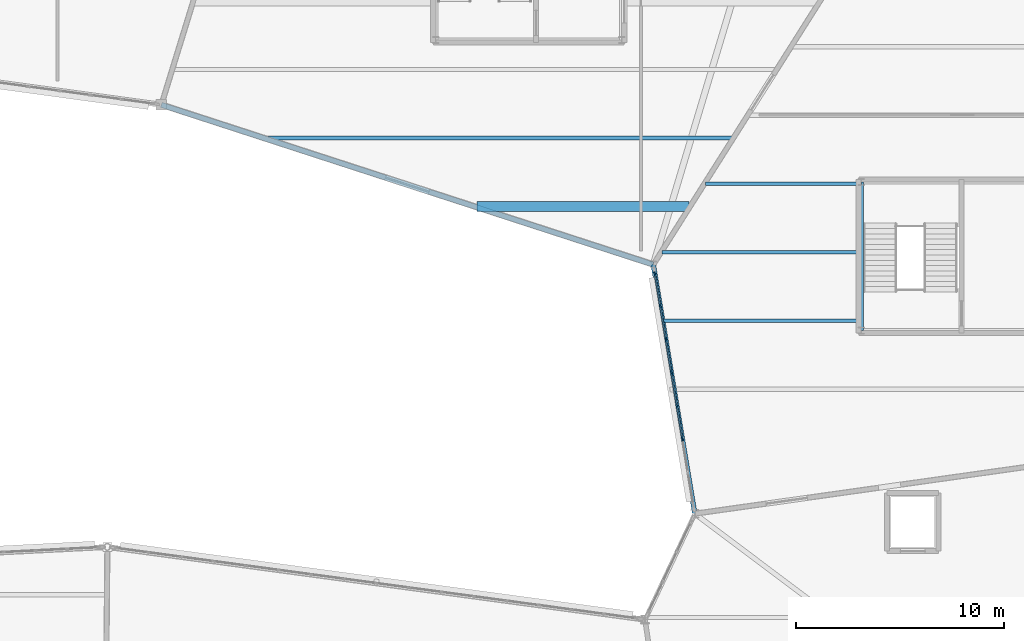
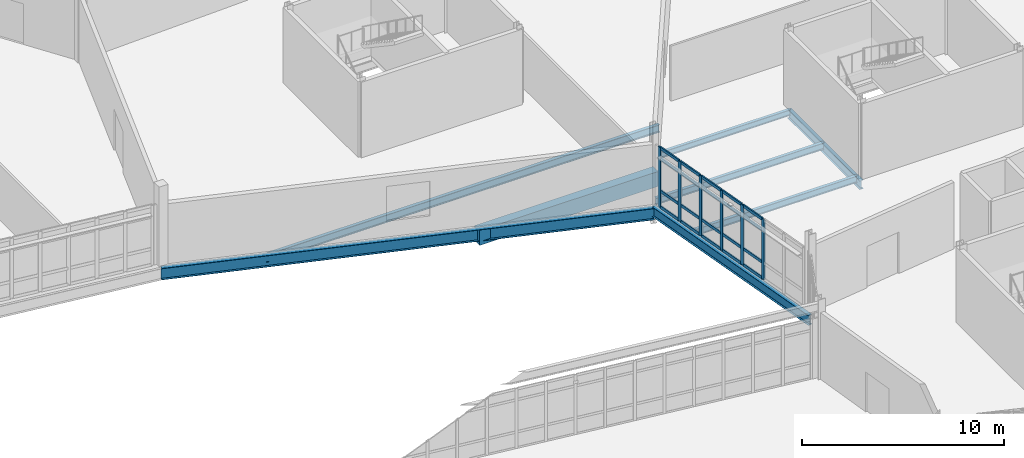
# One storey, part 36 of 134: 26 members, 8 beams, 1 element without a shape of its own.
"""IFC4 building model written with IfcOpenShell, lengths in metres."""

from ifc_helpers import new_model, si_unit, direction, frame, origin, origin_2d, place, context, subcontext, project, spatial, rectangle, i_section, extrude, material, material_profile, profile_set, type_object, element, aggregate, save


model = new_model("IFC4")

# Units and contexts
model_context = context("Model", 3, precision=1e-05, world=origin(), true_north=direction((0.0, 1.0)))
body_context = subcontext(model_context, "Body", "Model", "MODEL_VIEW")
ifc_project = project(units=[si_unit("LENGTHUNIT", "METRE"), si_unit("AREAUNIT", "SQUARE_METRE"), si_unit("VOLUMEUNIT", "CUBIC_METRE"), si_unit("PLANEANGLEUNIT", "RADIAN"), si_unit("MASSUNIT", "GRAM", prefix="KILO")], contexts=[model_context])

# Site, building, storey
site_placement = place(None, origin())
site = spatial("IfcSite", under=ifc_project, at=site_placement, CompositionType="ELEMENT")
building_placement = place(site_placement, origin())
building = spatial("IfcBuilding", under=site, at=building_placement, Name="Tameran Prism Museum", CompositionType="ELEMENT")
storey_placement = place(building_placement, frame((0.0, 0.0, 5.39990234375)))
storey = spatial("IfcBuildingStorey", under=building, at=storey_placement, Name="L01", CompositionType="ELEMENT", Elevation=5.39990234375)

# Beams
ifc_material_1 = material(Name="Steel Grade 300PLUS (300 MPa)", Category="steel")
ifc_material_profile_1 = material_profile(ifc_material_1, i_section(OverallWidth=0.172119140625, OverallDepth=0.35888671875, WebThickness=0.008056640625, FlangeThickness=0.012939453125, FilletRadius=0.011474609375, at=origin_2d()))
ifc_profile_set_1 = profile_set([ifc_material_profile_1])
beam_type_1 = type_object("IfcBeamType", Name="BM-J360A", PredefinedType="JOIST", material=ifc_profile_set_1)
beam_1_placement = place(storey_placement, frame((52.513916015625, 60.5, -0.37939453125), z_axis=(1.0, 0.0, 0.0), x_axis=(0.0, 1.0, 0.0)))
element("IfcBeam", 1, at=beam_1_placement, inside=storey, type_object=beam_type_1, Name="Floor Beam BM-0556", PredefinedType="JOIST", context=body_context, shape_type="SweptSolid", body=[
    extrude(i_section(OverallWidth=0.172119140625, OverallDepth=0.35888671875, WebThickness=0.008056640625, FlangeThickness=0.012939453125, FilletRadius=0.011474609375, at=origin_2d()), origin(), (0.0, 0.0, 1.0), 7.506103515625),
])
ifc_material_2 = material(Name="Steel Grade 300PLUS (300 MPa)", Category="steel")
ifc_material_profile_2 = material_profile(ifc_material_2, i_section(OverallWidth=0.177978515625, OverallDepth=0.403076171875, WebThickness=0.007568359375, FlangeThickness=0.010986328125, FilletRadius=0.011474609375, at=origin_2d()))
ifc_profile_set_2 = profile_set([ifc_material_profile_2])
beam_type_2 = type_object("IfcBeamType", Name="BM-J410B", PredefinedType="JOIST", material=ifc_profile_set_2)
beam_2_placement = place(storey_placement, frame((50.490966796875, 53.89990234375, -0.4013671875), z_axis=(1.0, 0.0, 0.0), x_axis=(0.0, 1.0, 0.0)))
element("IfcBeam", 2, at=beam_2_placement, inside=storey, type_object=beam_type_2, Name="Floor Beam BM-0552", PredefinedType="JOIST", context=body_context, shape_type="SweptSolid", body=[
    extrude(i_section(OverallWidth=0.177978515625, OverallDepth=0.403076171875, WebThickness=0.007568359375, FlangeThickness=0.010986328125, FilletRadius=0.011474609375, at=origin_2d()), origin(), (0.0, 0.0, 1.0), 9.529052734375),
])
beam_3_placement = place(storey_placement, frame((50.427001953125, 57.199951171875, -0.4013671875), z_axis=(1.0, 0.0, 0.0), x_axis=(0.0, 1.0, 0.0)))
element("IfcBeam", 3, at=beam_3_placement, inside=storey, type_object=beam_type_2, Name="Floor Beam BM-0554", PredefinedType="JOIST", context=body_context, shape_type="SweptSolid", body=[
    extrude(i_section(OverallWidth=0.177978515625, OverallDepth=0.403076171875, WebThickness=0.007568359375, FlangeThickness=0.010986328125, FilletRadius=0.011474609375, at=origin_2d()), origin(), (0.0, 0.0, 1.0), 9.593017578125),
])
ifc_material_3 = material(Name="Steel Grade 300PLUS (300 MPa)", Category="steel")
ifc_material_profile_3 = material_profile(ifc_material_3, i_section(OverallWidth=0.19091796875, OverallDepth=0.4599609375, WebThickness=0.010009765625, FlangeThickness=0.01611328125, FilletRadius=0.011474609375, at=origin_2d()))
ifc_profile_set_3 = profile_set([ifc_material_profile_3])
beam_type_3 = type_object("IfcBeamType", Name="BM-J460A", PredefinedType="JOIST", material=ifc_profile_set_3)
beam_4_placement = place(storey_placement, frame((31.35400390625, 62.699951171875, -0.489990234375), z_axis=(1.0, 0.0, 0.0), x_axis=(0.0, 1.0, 0.0)))
element("IfcBeam", 4, at=beam_4_placement, inside=storey, type_object=beam_type_3, Name="Floor Beam BM-0614", PredefinedType="JOIST", context=body_context, shape_type="SweptSolid", body=[
    extrude(i_section(OverallWidth=0.19091796875, OverallDepth=0.4599609375, WebThickness=0.010009765625, FlangeThickness=0.01611328125, FilletRadius=0.011474609375, at=origin_2d()), origin(), (0.0, 0.0, 1.0), 22.45703125),
])
ifc_material_4 = material(Name="Concrete N40 (40 MPa)", Category="concrete")
ifc_material_profile_4 = material_profile(ifc_material_4, rectangle(XDim=0.5, YDim=0.89990234375, at=origin_2d()))
ifc_profile_set_4 = profile_set([ifc_material_profile_4])
beam_type_4 = type_object("IfcBeamType", Name="BM-RC900", PredefinedType="BEAM", material=ifc_profile_set_4)
beam_5_placement = place(storey_placement, frame((41.510986328125, 59.39990234375, -0.7099609375), z_axis=(1.0, 0.0, 0.0), x_axis=(0.0, 1.0, 0.0)))
element("IfcBeam", 5, at=beam_5_placement, inside=storey, type_object=beam_type_4, Name="Floor Beam BM-0613", PredefinedType="BEAM", context=body_context, shape_type="SweptSolid", body=[
    extrude(rectangle(XDim=0.5, YDim=0.89990234375, at=origin_2d()), origin(), (0.0, 0.0, 1.0), 10.213134765625),
])
ifc_material_5 = material(Name="Steel Grade 300PLUS (300 MPa)", Category="steel")
ifc_material_profile_5 = material_profile(ifc_material_5, i_section(OverallWidth=0.208984375, OverallDepth=0.528076171875, WebThickness=0.009521484375, FlangeThickness=0.01318359375, FilletRadius=0.013916015625, at=origin_2d()))
ifc_profile_set_5 = profile_set([ifc_material_profile_5])
beam_type_5 = type_object("IfcBeamType", Name="BM-SP530B", PredefinedType="SPANDREL", material=ifc_profile_set_5)
beam_6_placement = place(storey_placement, frame((60.02001953125, 60.580078125, -0.50390625), z_axis=(0.0, -1.0, 0.0), x_axis=(1.0, 0.0, 0.0)))
element("IfcBeam", 6, at=beam_6_placement, inside=storey, type_object=beam_type_5, Name="Core Ring Beam CTB-0457", PredefinedType="SPANDREL", context=body_context, shape_type="SweptSolid", body=[
    extrude(i_section(OverallWidth=0.208984375, OverallDepth=0.528076171875, WebThickness=0.009521484375, FlangeThickness=0.01318359375, FilletRadius=0.013916015625, at=origin_2d()), origin(), (0.0, 0.0, 1.0), 7.16015625),
])
ifc_material_6 = material(Name="Steel Grade 300PLUS (300 MPa)", Category="steel")
ifc_material_profile_6 = material_profile(ifc_material_6, i_section(OverallWidth=0.22802734375, OverallDepth=0.60205078125, WebThickness=0.010498046875, FlangeThickness=0.014892578125, FilletRadius=0.013916015625, at=origin_2d()))
ifc_profile_set_6 = profile_set([ifc_material_profile_6])
beam_type_6 = type_object("IfcBeamType", Name="BM-SP610", PredefinedType="SPANDREL", material=ifc_profile_set_6)
beam_7_placement = place(storey_placement, frame((50.0, 56.60009765625, -0.5009765625), z_axis=(0.164398987305, -0.986393923832, 0.0), x_axis=(0.986393923832, 0.164398987305, 0.0)))
element("IfcBeam", 7, at=beam_7_placement, inside=storey, type_object=beam_type_6, Name="Perimeter Spandrel SP-0356", PredefinedType="SPANDREL", context=body_context, shape_type="SweptSolid", body=[
    extrude(i_section(OverallWidth=0.22802734375, OverallDepth=0.60205078125, WebThickness=0.010498046875, FlangeThickness=0.014892578125, FilletRadius=0.013916015625, at=origin_2d()), origin(), (0.0, 0.0, 1.0), 12.16552734375),
])
ifc_material_7 = material(Name="Steel Grade 350 (350 MPa)", Category="steel")
ifc_material_profile_7 = material_profile(ifc_material_7, i_section(OverallWidth=0.25, OverallDepth=0.699951171875, WebThickness=0.010009765625, FlangeThickness=0.02001953125, at=origin_2d()))
ifc_profile_set_7 = profile_set([ifc_material_profile_7])
beam_type_7 = type_object("IfcBeamType", Name="BM-SP700", PredefinedType="SPANDREL", material=ifc_profile_set_7)
beam_8_placement = place(storey_placement, frame((26.300048828125, 64.300048828125, -0.60986328125), z_axis=(0.951063943279, -0.308994135535, 0.0), x_axis=(0.308994135535, 0.951063943279, 0.0)))
element("IfcBeam", 8, at=beam_8_placement, inside=storey, type_object=beam_type_7, Name="Perimeter Spandrel SP-0413", PredefinedType="SPANDREL", context=body_context, shape_type="SweptSolid", body=[
    extrude(i_section(OverallWidth=0.25, OverallDepth=0.699951171875, WebThickness=0.010009765625, FlangeThickness=0.02001953125, at=origin_2d()), origin(), (0.0, 0.0, 1.0), 24.91943359375),
])

# Curtain wall, members
ifc_material_8 = material(Name="Anodised Aluminium 6063-T6 and Cyclone Solar Glass", Category="aluminium")
curtain_wall_type = type_object("IfcCurtainWallType", Name="CW-FAC-1135x362", PredefinedType="USERDEFINED", material=ifc_material_8)
curtain_wall_placement = place(storey_placement, origin())
curtain_wall = element("IfcCurtainWall", 9, at=curtain_wall_placement, inside=storey, type_object=curtain_wall_type, Name="Unitised Curtain Wall CW-069", ObjectType="UNITISED CURTAIN WALL", PredefinedType="USERDEFINED")
ifc_material_9 = material(Name="Anodised Aluminium Alloy 6063-T6", Category="aluminium")
ifc_material_profile_8 = material_profile(ifc_material_9, rectangle(XDim=0.074951171875, YDim=0.199951171875, at=origin_2d()))
ifc_profile_set_8 = profile_set([ifc_material_profile_8])
member_type_1 = type_object("IfcMemberType", Name="CW-MUL-C", PredefinedType="MULLION", material=ifc_profile_set_8)
member_1_placement = place(storey_placement, frame((51.3994140625, 48.20166015625, 0.0), z_axis=(0.0, 0.0, 1.0), x_axis=(-0.986412973539, -0.164284648199, 0.0)))
member_1 = element("IfcMember", 10, at=member_1_placement, type_object=member_type_1, Name="CW-069 mullion 3", PredefinedType="MULLION", context=body_context, shape_type="SweptSolid", body=[
    extrude(rectangle(XDim=0.074951171875, YDim=0.199951171875, at=origin_2d()), origin(), (0.0, 0.0, 1.0), 3.6201171875),
])
member_2_placement = place(storey_placement, frame((51.133056640625, 49.800537109375, 0.0), z_axis=(0.0, 0.0, 1.0), x_axis=(-0.986412973539, -0.164284648199, 0.0)))
member_2 = element("IfcMember", 11, at=member_2_placement, type_object=member_type_1, Name="CW-069 mullion 4", PredefinedType="MULLION", context=body_context, shape_type="SweptSolid", body=[
    extrude(rectangle(XDim=0.074951171875, YDim=0.199951171875, at=origin_2d()), origin(), (0.0, 0.0, 1.0), 3.6201171875),
])
member_3_placement = place(storey_placement, frame((50.866943359375, 51.3994140625, 0.0), z_axis=(0.0, 0.0, 1.0), x_axis=(-0.986412973539, -0.164284648199, 0.0)))
member_3 = element("IfcMember", 12, at=member_3_placement, type_object=member_type_1, Name="CW-069 mullion 5", PredefinedType="MULLION", context=body_context, shape_type="SweptSolid", body=[
    extrude(rectangle(XDim=0.074951171875, YDim=0.199951171875, at=origin_2d()), origin(), (0.0, 0.0, 1.0), 3.6201171875),
])
member_4_placement = place(storey_placement, frame((50.6005859375, 52.998291015625, 0.0), z_axis=(0.0, 0.0, 1.0), x_axis=(-0.986412973539, -0.164284648199, 0.0)))
member_4 = element("IfcMember", 13, at=member_4_placement, type_object=member_type_1, Name="CW-069 mullion 6", PredefinedType="MULLION", context=body_context, shape_type="SweptSolid", body=[
    extrude(rectangle(XDim=0.074951171875, YDim=0.199951171875, at=origin_2d()), origin(), (0.0, 0.0, 1.0), 3.6201171875),
])
member_5_placement = place(storey_placement, frame((50.334228515625, 54.59716796875, 0.0), z_axis=(0.0, 0.0, 1.0), x_axis=(-0.986412973539, -0.164284648199, 0.0)))
member_5 = element("IfcMember", 14, at=member_5_placement, type_object=member_type_1, Name="CW-069 mullion 7", PredefinedType="MULLION", context=body_context, shape_type="SweptSolid", body=[
    extrude(rectangle(XDim=0.074951171875, YDim=0.199951171875, at=origin_2d()), origin(), (0.0, 0.0, 1.0), 3.6201171875),
])
member_6_placement = place(storey_placement, frame((50.07421875, 56.158935546875, 0.0), z_axis=(0.0, 0.0, 1.0), x_axis=(-0.986412973539, -0.164284648199, 0.0)))
member_6 = element("IfcMember", 15, at=member_6_placement, type_object=member_type_1, Name="CW-069 mullion 8", PredefinedType="MULLION", context=body_context, shape_type="SweptSolid", body=[
    extrude(rectangle(XDim=0.074951171875, YDim=0.199951171875, at=origin_2d()), origin(), (0.0, 0.0, 1.0), 3.6201171875),
])
ifc_material_10 = material(Name="Anodised Aluminium Alloy 6063-T6", Category="aluminium")
ifc_material_profile_9 = material_profile(ifc_material_10, rectangle(XDim=0.074951171875, YDim=0.175048828125, at=origin_2d()))
ifc_profile_set_9 = profile_set([ifc_material_profile_9])
member_type_2 = type_object("IfcMemberType", Name="CW-TRN-C", PredefinedType="USERDEFINED", material=ifc_profile_set_9)
member_7_placement = place(storey_placement, frame((51.393310546875, 48.23876953125, 0.03759765625), z_axis=(-0.164245325443, 0.986419521842, 0.0), x_axis=(-0.986419521842, -0.164245325443, 0.0)))
member_7 = element("IfcMember", 16, at=member_7_placement, type_object=member_type_2, Name="CW-069 transom 3.1", ObjectType="TRANSOM", PredefinedType="USERDEFINED", context=body_context, shape_type="SweptSolid", body=[
    extrude(rectangle(XDim=0.074951171875, YDim=0.175048828125, at=origin_2d()), origin(), (0.0, 0.0, 1.0), 1.5458984375),
])
member_8_placement = place(storey_placement, frame((51.393310546875, 48.23876953125, 1.0), z_axis=(-0.164245325443, 0.986419521842, 0.0), x_axis=(-0.986419521842, -0.164245325443, 0.0)))
member_8 = element("IfcMember", 17, at=member_8_placement, type_object=member_type_2, Name="CW-069 transom 3.2", ObjectType="TRANSOM", PredefinedType="USERDEFINED", context=body_context, shape_type="SweptSolid", body=[
    extrude(rectangle(XDim=0.074951171875, YDim=0.175048828125, at=origin_2d()), origin(), (0.0, 0.0, 1.0), 1.5458984375),
])
member_9_placement = place(storey_placement, frame((51.393310546875, 48.23876953125, 2.940185546875), z_axis=(-0.164245325443, 0.986419521842, 0.0), x_axis=(-0.986419521842, -0.164245325443, 0.0)))
member_9 = element("IfcMember", 18, at=member_9_placement, type_object=member_type_2, Name="CW-069 transom 3.3", ObjectType="TRANSOM", PredefinedType="USERDEFINED", context=body_context, shape_type="SweptSolid", body=[
    extrude(rectangle(XDim=0.074951171875, YDim=0.175048828125, at=origin_2d()), origin(), (0.0, 0.0, 1.0), 1.5458984375),
])
member_10_placement = place(storey_placement, frame((51.393310546875, 48.23876953125, 3.58251953125), z_axis=(-0.164245325443, 0.986419521842, 0.0), x_axis=(-0.986419521842, -0.164245325443, 0.0)))
member_10 = element("IfcMember", 19, at=member_10_placement, type_object=member_type_2, Name="CW-069 transom 3.4", ObjectType="TRANSOM", PredefinedType="USERDEFINED", context=body_context, shape_type="SweptSolid", body=[
    extrude(rectangle(XDim=0.074951171875, YDim=0.175048828125, at=origin_2d()), origin(), (0.0, 0.0, 1.0), 1.5458984375),
])
member_11_placement = place(storey_placement, frame((51.126953125, 49.837646484375, 0.03759765625), z_axis=(-0.164245325443, 0.986419521842, 0.0), x_axis=(-0.986419521842, -0.164245325443, 0.0)))
member_11 = element("IfcMember", 20, at=member_11_placement, type_object=member_type_2, Name="CW-069 transom 4.1", ObjectType="TRANSOM", PredefinedType="USERDEFINED", context=body_context, shape_type="SweptSolid", body=[
    extrude(rectangle(XDim=0.074951171875, YDim=0.175048828125, at=origin_2d()), origin(), (0.0, 0.0, 1.0), 1.5458984375),
])
member_12_placement = place(storey_placement, frame((51.126953125, 49.837646484375, 1.0), z_axis=(-0.164245325443, 0.986419521842, 0.0), x_axis=(-0.986419521842, -0.164245325443, 0.0)))
member_12 = element("IfcMember", 21, at=member_12_placement, type_object=member_type_2, Name="CW-069 transom 4.2", ObjectType="TRANSOM", PredefinedType="USERDEFINED", context=body_context, shape_type="SweptSolid", body=[
    extrude(rectangle(XDim=0.074951171875, YDim=0.175048828125, at=origin_2d()), origin(), (0.0, 0.0, 1.0), 1.5458984375),
])
member_13_placement = place(storey_placement, frame((51.126953125, 49.837646484375, 2.940185546875), z_axis=(-0.164245325443, 0.986419521842, 0.0), x_axis=(-0.986419521842, -0.164245325443, 0.0)))
member_13 = element("IfcMember", 22, at=member_13_placement, type_object=member_type_2, Name="CW-069 transom 4.3", ObjectType="TRANSOM", PredefinedType="USERDEFINED", context=body_context, shape_type="SweptSolid", body=[
    extrude(rectangle(XDim=0.074951171875, YDim=0.175048828125, at=origin_2d()), origin(), (0.0, 0.0, 1.0), 1.5458984375),
])
member_14_placement = place(storey_placement, frame((51.126953125, 49.837646484375, 3.58251953125), z_axis=(-0.164245325443, 0.986419521842, 0.0), x_axis=(-0.986419521842, -0.164245325443, 0.0)))
member_14 = element("IfcMember", 23, at=member_14_placement, type_object=member_type_2, Name="CW-069 transom 4.4", ObjectType="TRANSOM", PredefinedType="USERDEFINED", context=body_context, shape_type="SweptSolid", body=[
    extrude(rectangle(XDim=0.074951171875, YDim=0.175048828125, at=origin_2d()), origin(), (0.0, 0.0, 1.0), 1.5458984375),
])
member_15_placement = place(storey_placement, frame((50.860595703125, 51.4365234375, 0.03759765625), z_axis=(-0.164270916079, 0.986415260492, 0.0), x_axis=(-0.986415260492, -0.164270916079, 0.0)))
member_15 = element("IfcMember", 24, at=member_15_placement, type_object=member_type_2, Name="CW-069 transom 5.1", ObjectType="TRANSOM", PredefinedType="USERDEFINED", context=body_context, shape_type="SweptSolid", body=[
    extrude(rectangle(XDim=0.074951171875, YDim=0.175048828125, at=origin_2d()), origin(), (0.0, 0.0, 1.0), 1.545654296875),
])
member_16_placement = place(storey_placement, frame((50.860595703125, 51.4365234375, 1.0), z_axis=(-0.164270916079, 0.986415260492, 0.0), x_axis=(-0.986415260492, -0.164270916079, 0.0)))
member_16 = element("IfcMember", 25, at=member_16_placement, type_object=member_type_2, Name="CW-069 transom 5.2", ObjectType="TRANSOM", PredefinedType="USERDEFINED", context=body_context, shape_type="SweptSolid", body=[
    extrude(rectangle(XDim=0.074951171875, YDim=0.175048828125, at=origin_2d()), origin(), (0.0, 0.0, 1.0), 1.545654296875),
])
member_17_placement = place(storey_placement, frame((50.860595703125, 51.4365234375, 2.940185546875), z_axis=(-0.164270916079, 0.986415260492, 0.0), x_axis=(-0.986415260492, -0.164270916079, 0.0)))
member_17 = element("IfcMember", 26, at=member_17_placement, type_object=member_type_2, Name="CW-069 transom 5.3", ObjectType="TRANSOM", PredefinedType="USERDEFINED", context=body_context, shape_type="SweptSolid", body=[
    extrude(rectangle(XDim=0.074951171875, YDim=0.175048828125, at=origin_2d()), origin(), (0.0, 0.0, 1.0), 1.545654296875),
])
member_18_placement = place(storey_placement, frame((50.860595703125, 51.4365234375, 3.58251953125), z_axis=(-0.164270916079, 0.986415260492, 0.0), x_axis=(-0.986415260492, -0.164270916079, 0.0)))
member_18 = element("IfcMember", 27, at=member_18_placement, type_object=member_type_2, Name="CW-069 transom 5.4", ObjectType="TRANSOM", PredefinedType="USERDEFINED", context=body_context, shape_type="SweptSolid", body=[
    extrude(rectangle(XDim=0.074951171875, YDim=0.175048828125, at=origin_2d()), origin(), (0.0, 0.0, 1.0), 1.545654296875),
])
member_19_placement = place(storey_placement, frame((50.594482421875, 53.03515625, 0.03759765625), z_axis=(-0.164398987305, 0.986393923832, 0.0), x_axis=(-0.986393923832, -0.164398987305, 0.0)))
member_19 = element("IfcMember", 28, at=member_19_placement, type_object=member_type_2, Name="CW-069 transom 6.1", ObjectType="TRANSOM", PredefinedType="USERDEFINED", context=body_context, shape_type="SweptSolid", body=[
    extrude(rectangle(XDim=0.074951171875, YDim=0.175048828125, at=origin_2d()), origin(), (0.0, 0.0, 1.0), 1.5458984375),
])
member_20_placement = place(storey_placement, frame((50.594482421875, 53.03515625, 1.0), z_axis=(-0.164398987305, 0.986393923832, 0.0), x_axis=(-0.986393923832, -0.164398987305, 0.0)))
member_20 = element("IfcMember", 29, at=member_20_placement, type_object=member_type_2, Name="CW-069 transom 6.2", ObjectType="TRANSOM", PredefinedType="USERDEFINED", context=body_context, shape_type="SweptSolid", body=[
    extrude(rectangle(XDim=0.074951171875, YDim=0.175048828125, at=origin_2d()), origin(), (0.0, 0.0, 1.0), 1.5458984375),
])
member_21_placement = place(storey_placement, frame((50.594482421875, 53.03515625, 2.940185546875), z_axis=(-0.164398987305, 0.986393923832, 0.0), x_axis=(-0.986393923832, -0.164398987305, 0.0)))
member_21 = element("IfcMember", 30, at=member_21_placement, type_object=member_type_2, Name="CW-069 transom 6.3", ObjectType="TRANSOM", PredefinedType="USERDEFINED", context=body_context, shape_type="SweptSolid", body=[
    extrude(rectangle(XDim=0.074951171875, YDim=0.175048828125, at=origin_2d()), origin(), (0.0, 0.0, 1.0), 1.5458984375),
])
member_22_placement = place(storey_placement, frame((50.594482421875, 53.03515625, 3.58251953125), z_axis=(-0.164398987305, 0.986393923832, 0.0), x_axis=(-0.986393923832, -0.164398987305, 0.0)))
member_22 = element("IfcMember", 31, at=member_22_placement, type_object=member_type_2, Name="CW-069 transom 6.4", ObjectType="TRANSOM", PredefinedType="USERDEFINED", context=body_context, shape_type="SweptSolid", body=[
    extrude(rectangle(XDim=0.074951171875, YDim=0.175048828125, at=origin_2d()), origin(), (0.0, 0.0, 1.0), 1.5458984375),
])
member_23_placement = place(storey_placement, frame((50.328125, 54.634033203125, 0.03759765625), z_axis=(-0.164267764098, 0.986415785396, 0.0), x_axis=(-0.986415785396, -0.164267764098, 0.0)))
member_23 = element("IfcMember", 32, at=member_23_placement, type_object=member_type_2, Name="CW-069 transom 7.1", ObjectType="TRANSOM", PredefinedType="USERDEFINED", context=body_context, shape_type="SweptSolid", body=[
    extrude(rectangle(XDim=0.074951171875, YDim=0.175048828125, at=origin_2d()), origin(), (0.0, 0.0, 1.0), 1.508544921875),
])
member_24_placement = place(storey_placement, frame((50.328125, 54.634033203125, 1.0), z_axis=(-0.164267764098, 0.986415785396, 0.0), x_axis=(-0.986415785396, -0.164267764098, 0.0)))
member_24 = element("IfcMember", 33, at=member_24_placement, type_object=member_type_2, Name="CW-069 transom 7.2", ObjectType="TRANSOM", PredefinedType="USERDEFINED", context=body_context, shape_type="SweptSolid", body=[
    extrude(rectangle(XDim=0.074951171875, YDim=0.175048828125, at=origin_2d()), origin(), (0.0, 0.0, 1.0), 1.508544921875),
])
member_25_placement = place(storey_placement, frame((50.328125, 54.634033203125, 2.940185546875), z_axis=(-0.164267764098, 0.986415785396, 0.0), x_axis=(-0.986415785396, -0.164267764098, 0.0)))
member_25 = element("IfcMember", 34, at=member_25_placement, type_object=member_type_2, Name="CW-069 transom 7.3", ObjectType="TRANSOM", PredefinedType="USERDEFINED", context=body_context, shape_type="SweptSolid", body=[
    extrude(rectangle(XDim=0.074951171875, YDim=0.175048828125, at=origin_2d()), origin(), (0.0, 0.0, 1.0), 1.508544921875),
])
member_26_placement = place(storey_placement, frame((50.328125, 54.634033203125, 3.58251953125), z_axis=(-0.164267764098, 0.986415785396, 0.0), x_axis=(-0.986415785396, -0.164267764098, 0.0)))
member_26 = element("IfcMember", 35, at=member_26_placement, type_object=member_type_2, Name="CW-069 transom 7.4", ObjectType="TRANSOM", PredefinedType="USERDEFINED", context=body_context, shape_type="SweptSolid", body=[
    extrude(rectangle(XDim=0.074951171875, YDim=0.175048828125, at=origin_2d()), origin(), (0.0, 0.0, 1.0), 1.508544921875),
])
aggregate(curtain_wall, [member_1, member_2, member_3, member_4, member_5, member_6, member_7, member_8, member_9, member_10, member_11, member_12, member_13, member_14, member_15, member_16, member_17, member_18, member_19, member_20, member_21, member_22, member_23, member_24, member_25, member_26])

save(model, "model.ifc")
